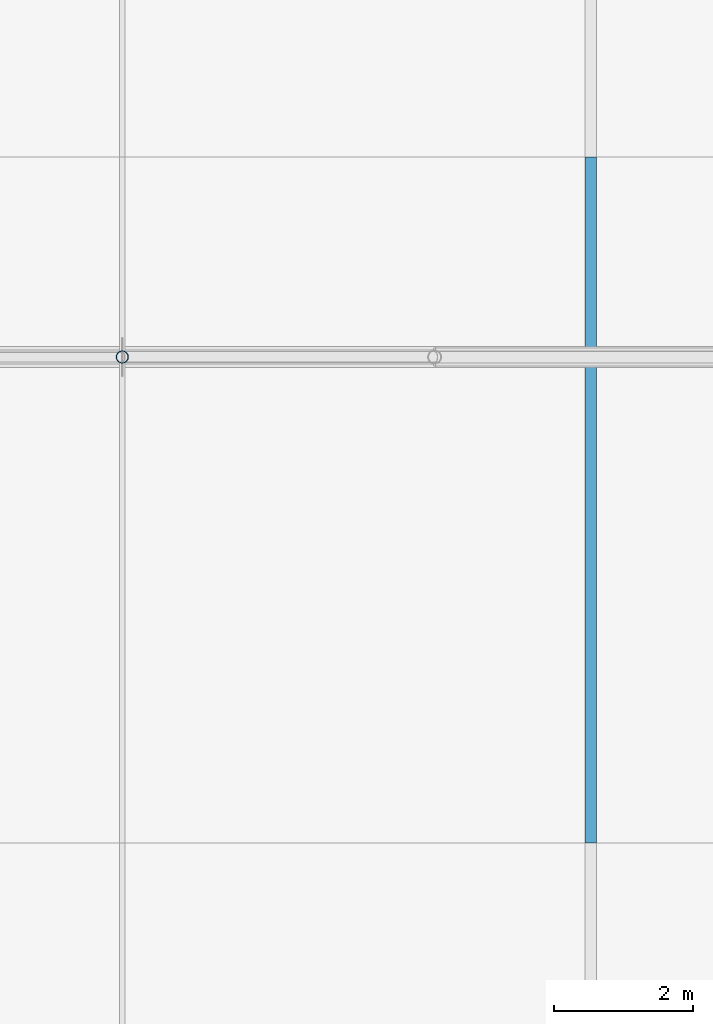
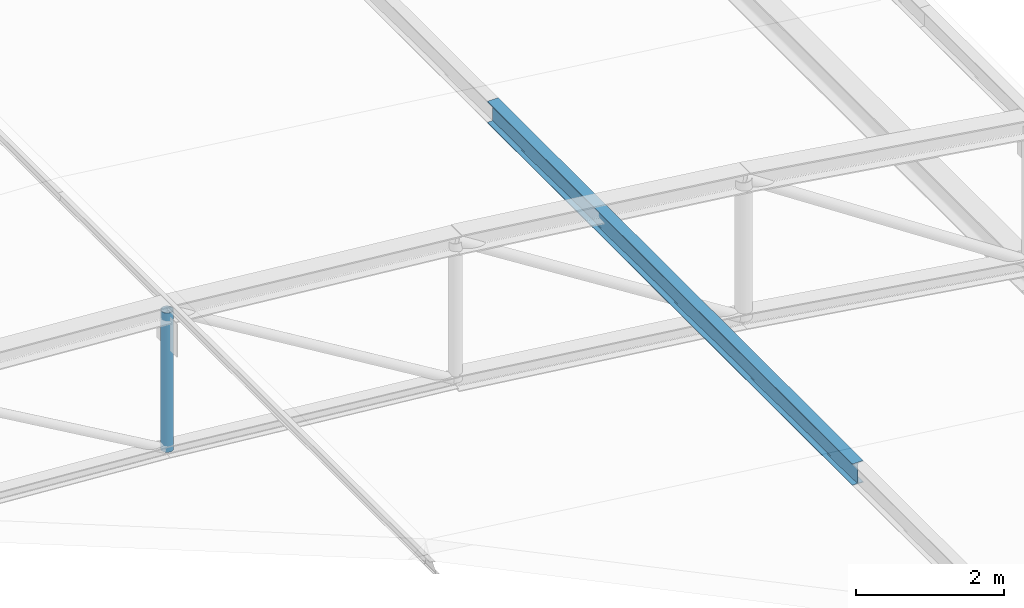
# One storey, part 169 of 262: 2 members.
"""IFC4 building model written with IfcOpenShell, lengths in metres."""

from ifc_helpers import new_model, si_unit, derived_unit, direction, frame, origin, origin_2d, place, context, subcontext, project, spatial, hollow_circle, i_section, extrude, material, material_profile, profile_set, type_object, element, save


model = new_model("IFC4")

# Units and contexts
model_context = context("Model", 3, precision=1e-05, world=origin(), true_north=direction((0.0, 1.0)))
body_context = subcontext(model_context, "Body", "Model", "MODEL_VIEW")
ifc_project = project(units=[si_unit("LENGTHUNIT", "METRE"), si_unit("AREAUNIT", "SQUARE_METRE"), si_unit("VOLUMEUNIT", "CUBIC_METRE"), si_unit("PLANEANGLEUNIT", "RADIAN"), si_unit("MASSUNIT", "GRAM", prefix="KILO"), derived_unit("THERMALTRANSMITTANCEUNIT", [(si_unit("POWERUNIT", "WATT"), 1), (si_unit("LENGTHUNIT", "METRE"), -2), (si_unit("THERMODYNAMICTEMPERATUREUNIT", "KELVIN"), -1)])], contexts=[model_context])

# Site, building, storey
site_placement = place(None, origin())
site = spatial("IfcSite", under=ifc_project, at=site_placement, CompositionType="ELEMENT")
building_placement = place(site_placement, origin())
building = spatial("IfcBuilding", under=site, at=building_placement, Name="Almenara Railside Exhibition Hall", CompositionType="ELEMENT")
storey_placement = place(building_placement, frame((0.0, 0.0, 21.699951171875)))
storey = spatial("IfcBuildingStorey", under=building, at=storey_placement, Name="RF", CompositionType="ELEMENT", Elevation=21.699951171875)

# Members
ifc_material = material(Name="Structural steel S355JR", Category="steel")
ifc_material_profile_1 = material_profile(ifc_material, i_section(OverallWidth=0.169921875, OverallDepth=0.360107421875, WebThickness=0.008056640625, FlangeThickness=0.0126953125, FilletRadius=0.01806640625, at=origin_2d()), Name="IPE 360")
ifc_profile_set_1 = profile_set([ifc_material_profile_1], Name="Structural steel S355JR")
member_type_1 = type_object("IfcMemberType", Name="Long-Span Scroll Purlin IPE 360 S355JR", PredefinedType="PURLIN", material=ifc_profile_set_1)
member_1_placement = place(storey_placement, frame((185.25, 83.0, -6.47216796875), z_axis=(0.0, 1.0, 0.0), x_axis=(-1.0, 0.0, 0.0)))
element("IfcMember", 1, at=member_1_placement, inside=storey, type_object=member_type_1, Name="MEM-PR-V2-PR-IPE360-07-14", PredefinedType="PURLIN", context=body_context, shape_type="SweptSolid", body=[
    extrude(i_section(OverallWidth=0.169921875, OverallDepth=0.360107421875, WebThickness=0.008056640625, FlangeThickness=0.0126953125, FilletRadius=0.01806640625, at=origin_2d()), origin(), (0.0, 0.0, 1.0), 9.8798828125),
])
ifc_material_profile_2 = material_profile(ifc_material, hollow_circle(Radius=0.0888671875, WallThickness=0.006103515625, at=origin_2d()), Name="CHS 177.8x6")
ifc_profile_set_2 = profile_set([ifc_material_profile_2], Name="Structural steel S355JR")
member_type_2 = type_object("IfcMemberType", Name="Truss Quarter Vertical Strut CHS 177.8x6 S355JR", PredefinedType="BRACE", material=ifc_profile_set_2)
member_2_placement = place(storey_placement, frame((178.5, 90.0, -7.949951171875), z_axis=(0.0, 0.0, 1.0), x_axis=(1.0, 0.0, 0.0)))
element("IfcMember", 2, at=member_2_placement, inside=storey, type_object=member_type_2, Name="MEM-TV-V2-04-09", PredefinedType="BRACE", context=body_context, shape_type="SweptSolid", body=[
    extrude(hollow_circle(Radius=0.0888671875, WallThickness=0.006103515625, at=origin_2d()), origin(), (0.0, 0.0, 1.0), 2.300048828125),
])

save(model, "model.ifc")
